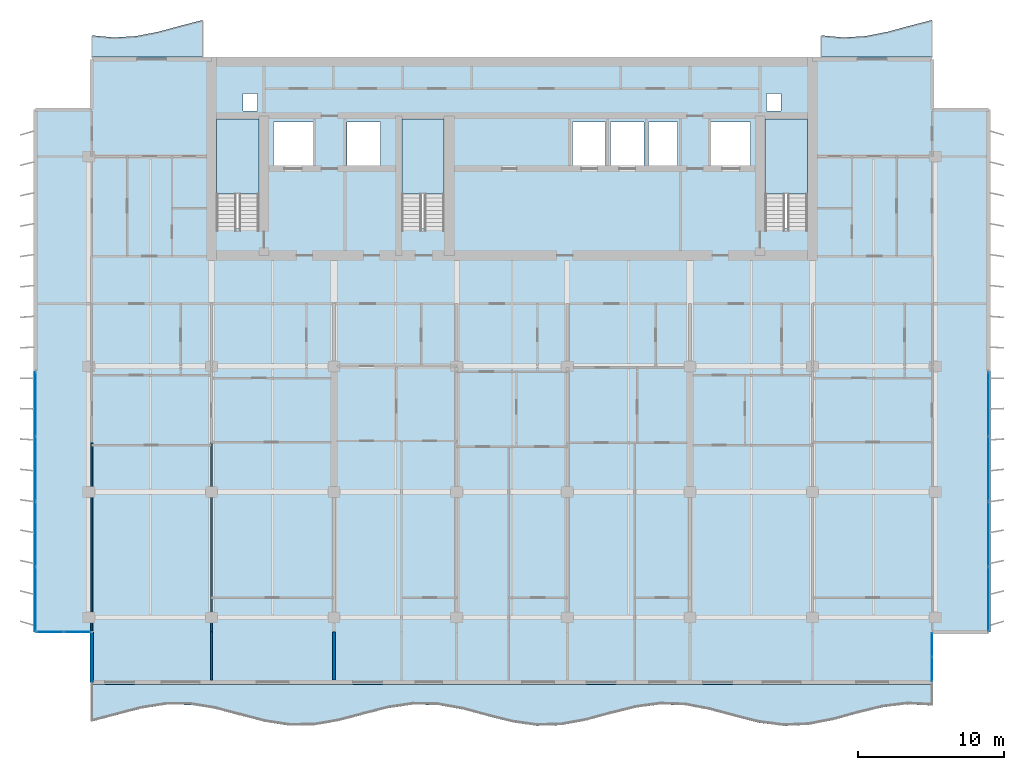
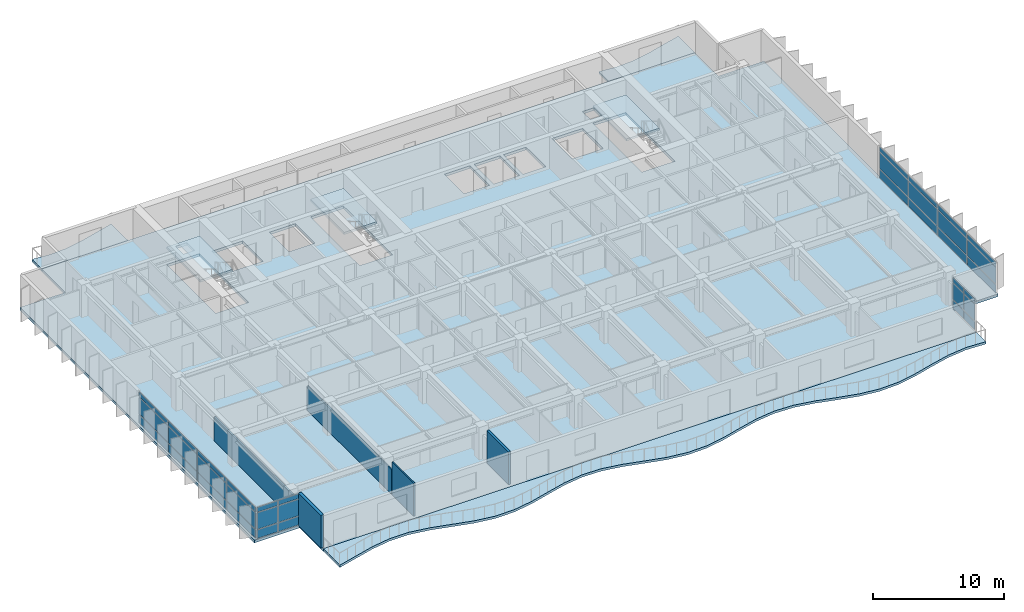
# One storey, part 6 of 18: 36 plates, 7 slabs, 5 walls, 7 elements without a shape of their own.
"""IFC4 building model written with IfcOpenShell, lengths in metres."""

import ifcopenshell
import ifcopenshell.guid

model = None  # the IFC model being written
_history = None  # IfcOwnerHistory: only IFC2X3 demands one
_inside = {}  # id of a spatial element -> (the spatial element, [elements in it])
_under = {}  # id of a project, library or spatial element -> (it, [spatial elements below it])
_declared = {}  # id of a project -> (the project, [libraries it declares])
_typed = {}  # id of a type object -> (the type object, [elements of that type])
_made_of = {}  # id of a material, layer set ... -> (it, [elements and type objects made of it])


def new_model(schema):
    """Start an empty IFC model of exactly this schema.

    Asked for "IFC4X3", IfcOpenShell would pick the latest addendum, in which some entities
    have other attributes; the version numbers below select the first issue.
    IFC2X3 requires an IfcOwnerHistory on every rooted entity: one is made here for all.
    """
    global model, _history
    if schema == "IFC4X3":
        model = ifcopenshell.file(schema_version=(4, 3, 0, 0))
    else:
        model = ifcopenshell.file(schema=schema)
    _inside.clear()
    _under.clear()
    _declared.clear()
    _typed.clear()
    _made_of.clear()
    _history = None
    if model.schema == "IFC2X3":
        org = make("IfcOrganization", Name="unknown")
        user = make(
            "IfcPersonAndOrganization",
            ThePerson=make("IfcPerson", FamilyName="unknown"),
            TheOrganization=org,
        )
        app = make(
            "IfcApplication",
            ApplicationDeveloper=org,
            Version="unknown",
            ApplicationFullName="unknown",
            ApplicationIdentifier="unknown",
        )
        _history = make(
            "IfcOwnerHistory",
            OwningUser=user,
            OwningApplication=app,
            ChangeAction="ADDED",
            CreationDate=0,
        )
    return model


def make(cls, **values):
    """One entity of the class cls with the attributes given. An attribute that is None is left unset."""
    return model.create_entity(
        cls, **{name: value for name, value in values.items() if value is not None}
    )


def rooted(cls, **values):
    """An entity with a GlobalId (a new one), such as an element, a storey or a relation."""
    return make(cls, GlobalId=ifcopenshell.guid.new(), OwnerHistory=_history, **values)


def si_unit(unit_type, name, prefix=None):
    """IfcSIUnit, for example si_unit("LENGTHUNIT", "METRE", prefix="MILLI")."""
    return make("IfcSIUnit", UnitType=unit_type, Prefix=prefix, Name=name)


def assignment(units):
    """IfcUnitAssignment: the units of a project."""
    return None if units is None else make("IfcUnitAssignment", Units=units)


def point(xyz):
    """IfcCartesianPoint."""
    return None if xyz is None else make("IfcCartesianPoint", Coordinates=xyz)


def direction(xyz):
    """IfcDirection."""
    return None if xyz is None else make("IfcDirection", DirectionRatios=xyz)


def frame(location, z_axis=None, x_axis=None):
    """IfcAxis2Placement3D, a coordinate frame: its origin and axes. An axis left out is left unset."""
    return make(
        "IfcAxis2Placement3D",
        Location=point(location),
        Axis=direction(z_axis),
        RefDirection=direction(x_axis),
    )


def frame_2d(location, x_axis=None):
    """IfcAxis2Placement2D, a coordinate frame in the plane: its origin and x axis."""
    return make(
        "IfcAxis2Placement2D", Location=point(location), RefDirection=direction(x_axis)
    )


def origin():
    """The frame at (0, 0, 0) with its axes left unset."""
    return frame((0.0, 0.0, 0.0))


def origin_2d():
    """The frame at (0, 0) in the plane with its x axis left unset."""
    return frame_2d((0.0, 0.0))


def place(relative_to, where):
    """IfcLocalPlacement: puts the frame where relative to a parent placement (None: the world)."""
    return make(
        "IfcLocalPlacement", PlacementRelTo=relative_to, RelativePlacement=where
    )


def context(
    kind, dimensions, precision=None, world=None, true_north=None, identifier=None
):
    """IfcGeometricRepresentationContext, for example the 3D "Model" context."""
    return make(
        "IfcGeometricRepresentationContext",
        ContextIdentifier=identifier,
        ContextType=kind,
        CoordinateSpaceDimension=dimensions,
        Precision=precision,
        WorldCoordinateSystem=world,
        TrueNorth=true_north,
    )


def subcontext(parent, identifier, kind, view, scale=None):
    """IfcGeometricRepresentationSubContext, for example "Body" below "Model"."""
    return make(
        "IfcGeometricRepresentationSubContext",
        ContextIdentifier=identifier,
        ContextType=kind,
        ParentContext=parent,
        TargetScale=scale,
        TargetView=view,
    )


def project(units=None, contexts=None):
    """IfcProject with its units and contexts."""
    return rooted(
        "IfcProject",
        Name="project",
        RepresentationContexts=contexts,
        UnitsInContext=assignment(units),
    )


def spatial(cls, under=None, at=None, **own):
    """A site, building, storey or space (cls), placed at a placement, below another one or the project."""
    s = rooted(cls, ObjectPlacement=at, **own)
    if under is not None:
        _under.setdefault(under.id(), (under, []))[1].append(s)
    return s


def polyline(points):
    """IfcPolyline through the points."""
    return make("IfcPolyline", Points=[point(p) for p in points])


def profile(cls, at=None, kind="AREA", **sizes):
    """A parametric profile (cls). Its sizes go by their IFC names, for example OverallWidth=200.0."""
    return make(cls, ProfileType=kind, Position=at, **sizes)


def rectangle(**sizes):
    """IfcRectangleProfileDef."""
    return profile("IfcRectangleProfileDef", **sizes)


def outline(outer, holes=None, kind="AREA"):
    """IfcArbitraryClosedProfileDef: a profile drawn as a closed curve; with holes, ...WithVoids."""
    if holes is None:
        return make("IfcArbitraryClosedProfileDef", ProfileType=kind, OuterCurve=outer)
    return make(
        "IfcArbitraryProfileDefWithVoids",
        ProfileType=kind,
        OuterCurve=outer,
        InnerCurves=holes,
    )


def extrude(swept, where, along, depth):
    """IfcExtrudedAreaSolid: the profile swept, set in the frame where, extruded along a direction by depth."""
    return make(
        "IfcExtrudedAreaSolid",
        SweptArea=swept,
        Position=where,
        ExtrudedDirection=direction(along),
        Depth=depth,
    )


def shape(context_of_items, identifier, shape_type, items):
    """IfcShapeRepresentation: the items that make up one representation, for example the "Body"."""
    return make(
        "IfcShapeRepresentation",
        ContextOfItems=context_of_items,
        RepresentationIdentifier=identifier,
        RepresentationType=shape_type,
        Items=items,
    )


def material(Name=None, Category=None):
    """IfcMaterial."""
    return make("IfcMaterial", Name=Name, Category=Category)


def layer(
    of_material, thickness, ventilated=None, Name=None, Category=None, Priority=None
):
    """IfcMaterialLayer: one layer of a wall or slab, of a material (None: an air gap)."""
    return make(
        "IfcMaterialLayer",
        Material=of_material,
        LayerThickness=thickness,
        IsVentilated=ventilated,
        Name=Name,
        Category=Category,
        Priority=Priority,
    )


def layer_set(layers, Name=None):
    """IfcMaterialLayerSet."""
    return make("IfcMaterialLayerSet", MaterialLayers=layers, LayerSetName=Name)


def made_of(thing, what):
    """Note that an element or type object is made of a material, layer set ...; save() writes the relation."""
    if what is not None:
        _made_of.setdefault(what.id(), (what, []))[1].append(thing)
    return thing


def type_object(cls, material=None, **own):
    """A type object (cls), such as IfcWallType, which elements share."""
    return made_of(rooted(cls, **own), material)


def element(
    cls,
    number,
    at=None,
    inside=None,
    cuts=None,
    type_object=None,
    material=None,
    context=None,
    identifier="Body",
    shape_type=None,
    held_by="IfcProductDefinitionShape",
    body=None,
    shapes=None,
    **own,
):
    """One element of the class cls, such as IfcWall. Its Tag is "e" and its number.

    at: its placement. inside: the storey or other place that contains it. cuts: it is an
    opening in that element (IfcRelVoidsElement). A single representation is given by context,
    identifier, shape_type and body (its items); several are given by shapes. held_by: the class
    of the entity that holds the representations. save() writes the other relations.
    """
    e = rooted(cls, Tag="e%d" % number, ObjectPlacement=at, **own)
    if body is not None:
        shapes = [shape(context, identifier, shape_type, body)]
    if shapes is not None:
        e.Representation = make(held_by, Representations=shapes)
    if inside is not None:
        _inside.setdefault(inside.id(), (inside, []))[1].append(e)
    if cuts is not None:
        rooted(
            "IfcRelVoidsElement", RelatingBuildingElement=cuts, RelatedOpeningElement=e
        )
    if type_object is not None:
        _typed.setdefault(type_object.id(), (type_object, []))[1].append(e)
    return made_of(e, material)


def aggregate(whole, parts):
    """IfcRelAggregates: a whole, such as a stair, and the parts it consists of."""
    return rooted("IfcRelAggregates", RelatingObject=whole, RelatedObjects=parts)


def save(model, path):
    """Write the relations noted so far, then the file.

    IfcRelAggregates (storeys below a building ...), IfcRelContainedInSpatialStructure (elements
    in a storey), IfcRelDefinesByType, IfcRelAssociatesMaterial and IfcRelDeclares: one each for
    every whole, place, type object, material and project.
    """
    for whole, parts in _under.values():
        aggregate(whole, parts)
    for where, things in _inside.values():
        rooted(
            "IfcRelContainedInSpatialStructure",
            RelatedElements=things,
            RelatingStructure=where,
        )
    for kind, things in _typed.values():
        rooted("IfcRelDefinesByType", RelatedObjects=things, RelatingType=kind)
    for what, things in _made_of.values():
        rooted("IfcRelAssociatesMaterial", RelatedObjects=things, RelatingMaterial=what)
    for by, libraries in _declared.values():
        rooted("IfcRelDeclares", RelatingContext=by, RelatedDefinitions=libraries)
    model.write(path)


model = new_model("IFC4")

# Units and contexts
model_context = context("Model", 3, precision=1e-05, world=origin(), true_north=direction((0.0, 1.0)))
body_context = subcontext(model_context, "Body", "Model", "MODEL_VIEW")
ifc_project = project(units=[si_unit("LENGTHUNIT", "METRE"), si_unit("AREAUNIT", "SQUARE_METRE"), si_unit("VOLUMEUNIT", "CUBIC_METRE"), si_unit("PLANEANGLEUNIT", "RADIAN"), si_unit("MASSUNIT", "GRAM", prefix="KILO")], contexts=[model_context])

# Site, building, storey
site_placement = place(None, origin())
site = spatial("IfcSite", under=ifc_project, at=site_placement, CompositionType="ELEMENT")
building_placement = place(site_placement, origin())
building = spatial("IfcBuilding", under=site, at=building_placement, Name="Caelmar Bay Residences", CompositionType="ELEMENT")
storey_placement = place(building_placement, frame((0.0, 0.0, 170.39990234375)))
storey = spatial("IfcBuildingStorey", under=building, at=storey_placement, Name="L47", CompositionType="ELEMENT", Elevation=170.39990234375)

# Curtain wall, plates
ifc_material_1 = material(Name="Anodised bronze aluminium 6063-T6 and laminated glass", Category="aluminium")
ifc_layer_1 = layer(ifc_material_1, 0.179931640625)
ifc_layer_set_1 = layer_set([ifc_layer_1], Name="Anodised bronze aluminium 6063-T6 and laminated glass")
curtain_wall_type_1 = type_object("IfcCurtainWallType", Name="CW6-NTC", PredefinedType="NOTDEFINED", material=ifc_layer_set_1)
curtain_wall_1_placement = place(storey_placement, origin())
curtain_wall_1 = element("IfcCurtainWall", 1, at=curtain_wall_1_placement, inside=storey, type_object=curtain_wall_type_1, Name="CW6 curtain wall L47", PredefinedType="NOTDEFINED")
ifc_material_2 = material(Name="Bronze-tinted laminated low-E hurricane glass 28 mm", Category="glass")
ifc_layer_2 = layer(ifc_material_2, 0.028076171875)
ifc_layer_set_2 = layer_set([ifc_layer_2], Name="Bronze-tinted laminated low-E hurricane glass 28 mm")
plate_type = type_object("IfcPlateType", Name="CWP-GLZ28", PredefinedType="CURTAIN_PANEL", material=ifc_layer_set_2)
plate_1_placement = place(storey_placement, frame((7.232421875, 11.199951171875, 0.080078125), z_axis=(0.0, 0.0, 1.0), x_axis=(1.0, 0.0, 0.0)))
plate_1 = element("IfcPlate", 2, at=plate_1_placement, type_object=plate_type, Name="CW6 panel 1.1", PredefinedType="CURTAIN_PANEL", context=body_context, shape_type="SweptSolid", body=[
    extrude(rectangle(XDim=1.804931640625, YDim=0.028076171875, at=origin_2d()), origin(), (0.0, 0.0, 1.0), 0.780029296875),
])
plate_2_placement = place(storey_placement, frame((7.232421875, 11.199951171875, 0.940185546875), z_axis=(0.0, 0.0, 1.0), x_axis=(1.0, 0.0, 0.0)))
plate_2 = element("IfcPlate", 3, at=plate_2_placement, type_object=plate_type, Name="CW6 panel 1.2", PredefinedType="CURTAIN_PANEL", context=body_context, shape_type="SweptSolid", body=[
    extrude(rectangle(XDim=1.804931640625, YDim=0.028076171875, at=origin_2d()), origin(), (0.0, 0.0, 1.0), 1.52001953125),
])
plate_3_placement = place(storey_placement, frame((7.232421875, 11.199951171875, 2.5400390625), z_axis=(0.0, 0.0, 1.0), x_axis=(1.0, 0.0, 0.0)))
plate_3 = element("IfcPlate", 4, at=plate_3_placement, type_object=plate_type, Name="CW6 panel 1.3", PredefinedType="CURTAIN_PANEL", context=body_context, shape_type="SweptSolid", body=[
    extrude(rectangle(XDim=1.804931640625, YDim=0.028076171875, at=origin_2d()), origin(), (0.0, 0.0, 1.0), 0.429931640625),
])
plate_4_placement = place(storey_placement, frame((9.117431640625, 11.199951171875, 0.080078125), z_axis=(0.0, 0.0, 1.0), x_axis=(1.0, 0.0, 0.0)))
plate_4 = element("IfcPlate", 5, at=plate_4_placement, type_object=plate_type, Name="CW6 panel 2.1", PredefinedType="CURTAIN_PANEL", context=body_context, shape_type="SweptSolid", body=[
    extrude(rectangle(XDim=1.804931640625, YDim=0.028076171875, at=origin_2d()), origin(), (0.0, 0.0, 1.0), 0.780029296875),
])
plate_5_placement = place(storey_placement, frame((9.117431640625, 11.199951171875, 0.940185546875), z_axis=(0.0, 0.0, 1.0), x_axis=(1.0, 0.0, 0.0)))
plate_5 = element("IfcPlate", 6, at=plate_5_placement, type_object=plate_type, Name="CW6 panel 2.2", PredefinedType="CURTAIN_PANEL", context=body_context, shape_type="SweptSolid", body=[
    extrude(rectangle(XDim=1.804931640625, YDim=0.028076171875, at=origin_2d()), origin(), (0.0, 0.0, 1.0), 1.52001953125),
])
plate_6_placement = place(storey_placement, frame((9.117431640625, 11.199951171875, 2.5400390625), z_axis=(0.0, 0.0, 1.0), x_axis=(1.0, 0.0, 0.0)))
plate_6 = element("IfcPlate", 7, at=plate_6_placement, type_object=plate_type, Name="CW6 panel 2.3", PredefinedType="CURTAIN_PANEL", context=body_context, shape_type="SweptSolid", body=[
    extrude(rectangle(XDim=1.804931640625, YDim=0.028076171875, at=origin_2d()), origin(), (0.0, 0.0, 1.0), 0.429931640625),
])
aggregate(curtain_wall_1, [plate_1, plate_2, plate_3, plate_4, plate_5, plate_6])

curtain_wall_2_placement = place(storey_placement, origin())
curtain_wall_2 = element("IfcCurtainWall", 8, at=curtain_wall_2_placement, inside=storey, type_object=curtain_wall_type_1, Name="CW6 curtain wall L47", PredefinedType="NOTDEFINED")
plate_7_placement = place(storey_placement, frame((67.699951171875, 8.632568359375, 0.080078125), z_axis=(0.0, 0.0, 1.0), x_axis=(0.0, 1.0, 0.0)))
plate_7 = element("IfcPlate", 9, at=plate_7_placement, type_object=plate_type, Name="CW6 panel 1.1", PredefinedType="CURTAIN_PANEL", context=body_context, shape_type="SweptSolid", body=[
    extrude(rectangle(XDim=1.60498046875, YDim=0.028076171875, at=origin_2d()), origin(), (0.0, 0.0, 1.0), 0.780029296875),
])
plate_8_placement = place(storey_placement, frame((67.699951171875, 8.632568359375, 0.940185546875), z_axis=(0.0, 0.0, 1.0), x_axis=(0.0, 1.0, 0.0)))
plate_8 = element("IfcPlate", 10, at=plate_8_placement, type_object=plate_type, Name="CW6 panel 1.2", PredefinedType="CURTAIN_PANEL", context=body_context, shape_type="SweptSolid", body=[
    extrude(rectangle(XDim=1.60498046875, YDim=0.028076171875, at=origin_2d()), origin(), (0.0, 0.0, 1.0), 1.52001953125),
])
plate_9_placement = place(storey_placement, frame((67.699951171875, 8.632568359375, 2.5400390625), z_axis=(0.0, 0.0, 1.0), x_axis=(0.0, 1.0, 0.0)))
plate_9 = element("IfcPlate", 11, at=plate_9_placement, type_object=plate_type, Name="CW6 panel 1.3", PredefinedType="CURTAIN_PANEL", context=body_context, shape_type="SweptSolid", body=[
    extrude(rectangle(XDim=1.60498046875, YDim=0.028076171875, at=origin_2d()), origin(), (0.0, 0.0, 1.0), 0.429931640625),
])
plate_10_placement = place(storey_placement, frame((67.699951171875, 10.3173828125, 0.080078125), z_axis=(0.0, 0.0, 1.0), x_axis=(0.0, 1.0, 0.0)))
plate_10 = element("IfcPlate", 12, at=plate_10_placement, type_object=plate_type, Name="CW6 panel 2.1", PredefinedType="CURTAIN_PANEL", context=body_context, shape_type="SweptSolid", body=[
    extrude(rectangle(XDim=1.60498046875, YDim=0.028076171875, at=origin_2d()), origin(), (0.0, 0.0, 1.0), 0.780029296875),
])
plate_11_placement = place(storey_placement, frame((67.699951171875, 10.3173828125, 0.940185546875), z_axis=(0.0, 0.0, 1.0), x_axis=(0.0, 1.0, 0.0)))
plate_11 = element("IfcPlate", 13, at=plate_11_placement, type_object=plate_type, Name="CW6 panel 2.2", PredefinedType="CURTAIN_PANEL", context=body_context, shape_type="SweptSolid", body=[
    extrude(rectangle(XDim=1.60498046875, YDim=0.028076171875, at=origin_2d()), origin(), (0.0, 0.0, 1.0), 1.52001953125),
])
plate_12_placement = place(storey_placement, frame((67.699951171875, 10.3173828125, 2.5400390625), z_axis=(0.0, 0.0, 1.0), x_axis=(0.0, 1.0, 0.0)))
plate_12 = element("IfcPlate", 14, at=plate_12_placement, type_object=plate_type, Name="CW6 panel 2.3", PredefinedType="CURTAIN_PANEL", context=body_context, shape_type="SweptSolid", body=[
    extrude(rectangle(XDim=1.60498046875, YDim=0.028076171875, at=origin_2d()), origin(), (0.0, 0.0, 1.0), 0.429931640625),
])
aggregate(curtain_wall_2, [plate_7, plate_8, plate_9, plate_10, plate_11, plate_12])

ifc_layer_3 = layer(ifc_material_1, 0.179931640625)
ifc_layer_set_3 = layer_set([ifc_layer_3], Name="Anodised bronze aluminium 6063-T6 and laminated glass")
curtain_wall_type_2 = type_object("IfcCurtainWallType", Name="CW4-Z3", PredefinedType="NOTDEFINED", material=ifc_layer_set_3)
curtain_wall_3_placement = place(storey_placement, origin())
curtain_wall_3 = element("IfcCurtainWall", 15, at=curtain_wall_3_placement, inside=storey, type_object=curtain_wall_type_2, Name="CW4 curtain wall L47", PredefinedType="NOTDEFINED")
plate_13_placement = place(storey_placement, frame((6.25, 13.45751953125, 0.080078125), z_axis=(0.0, 0.0, 1.0), x_axis=(0.0, 1.0, 0.0)))
plate_13 = element("IfcPlate", 16, at=plate_13_placement, type_object=plate_type, Name="CW4 panel 1.1", PredefinedType="CURTAIN_PANEL", context=body_context, shape_type="SweptSolid", body=[
    extrude(rectangle(XDim=4.35498046875, YDim=0.028076171875, at=origin_2d()), origin(), (0.0, 0.0, 1.0), 0.780029296875),
])
plate_14_placement = place(storey_placement, frame((6.25, 13.45751953125, 0.940185546875), z_axis=(0.0, 0.0, 1.0), x_axis=(0.0, 1.0, 0.0)))
plate_14 = element("IfcPlate", 17, at=plate_14_placement, type_object=plate_type, Name="CW4 panel 1.2", PredefinedType="CURTAIN_PANEL", context=body_context, shape_type="SweptSolid", body=[
    extrude(rectangle(XDim=4.35498046875, YDim=0.028076171875, at=origin_2d()), origin(), (0.0, 0.0, 1.0), 1.52001953125),
])
plate_15_placement = place(storey_placement, frame((6.25, 13.45751953125, 2.5400390625), z_axis=(0.0, 0.0, 1.0), x_axis=(0.0, 1.0, 0.0)))
plate_15 = element("IfcPlate", 18, at=plate_15_placement, type_object=plate_type, Name="CW4 panel 1.3", PredefinedType="CURTAIN_PANEL", context=body_context, shape_type="SweptSolid", body=[
    extrude(rectangle(XDim=4.35498046875, YDim=0.028076171875, at=origin_2d()), origin(), (0.0, 0.0, 1.0), 0.429931640625),
])
plate_16_placement = place(storey_placement, frame((6.25, 17.91259765625, 0.080078125), z_axis=(0.0, 0.0, 1.0), x_axis=(0.0, 1.0, 0.0)))
plate_16 = element("IfcPlate", 19, at=plate_16_placement, type_object=plate_type, Name="CW4 panel 2.1", PredefinedType="CURTAIN_PANEL", context=body_context, shape_type="SweptSolid", body=[
    extrude(rectangle(XDim=4.39501953125, YDim=0.028076171875, at=origin_2d()), origin(), (0.0, 0.0, 1.0), 0.780029296875),
])
plate_17_placement = place(storey_placement, frame((6.25, 17.91259765625, 0.940185546875), z_axis=(0.0, 0.0, 1.0), x_axis=(0.0, 1.0, 0.0)))
plate_17 = element("IfcPlate", 20, at=plate_17_placement, type_object=plate_type, Name="CW4 panel 2.2", PredefinedType="CURTAIN_PANEL", context=body_context, shape_type="SweptSolid", body=[
    extrude(rectangle(XDim=4.39501953125, YDim=0.028076171875, at=origin_2d()), origin(), (0.0, 0.0, 1.0), 1.52001953125),
])
plate_18_placement = place(storey_placement, frame((6.25, 17.91259765625, 2.5400390625), z_axis=(0.0, 0.0, 1.0), x_axis=(0.0, 1.0, 0.0)))
plate_18 = element("IfcPlate", 21, at=plate_18_placement, type_object=plate_type, Name="CW4 panel 2.3", PredefinedType="CURTAIN_PANEL", context=body_context, shape_type="SweptSolid", body=[
    extrude(rectangle(XDim=4.39501953125, YDim=0.028076171875, at=origin_2d()), origin(), (0.0, 0.0, 1.0), 0.429931640625),
])
plate_19_placement = place(storey_placement, frame((6.25, 22.387451171875, 0.080078125), z_axis=(0.0, 0.0, 1.0), x_axis=(0.0, 1.0, 0.0)))
plate_19 = element("IfcPlate", 22, at=plate_19_placement, type_object=plate_type, Name="CW4 panel 3.1", PredefinedType="CURTAIN_PANEL", context=body_context, shape_type="SweptSolid", body=[
    extrude(rectangle(XDim=4.39501953125, YDim=0.028076171875, at=origin_2d()), origin(), (0.0, 0.0, 1.0), 0.780029296875),
])
plate_20_placement = place(storey_placement, frame((6.25, 22.387451171875, 0.940185546875), z_axis=(0.0, 0.0, 1.0), x_axis=(0.0, 1.0, 0.0)))
plate_20 = element("IfcPlate", 23, at=plate_20_placement, type_object=plate_type, Name="CW4 panel 3.2", PredefinedType="CURTAIN_PANEL", context=body_context, shape_type="SweptSolid", body=[
    extrude(rectangle(XDim=4.39501953125, YDim=0.028076171875, at=origin_2d()), origin(), (0.0, 0.0, 1.0), 1.52001953125),
])
plate_21_placement = place(storey_placement, frame((6.25, 22.387451171875, 2.5400390625), z_axis=(0.0, 0.0, 1.0), x_axis=(0.0, 1.0, 0.0)))
plate_21 = element("IfcPlate", 24, at=plate_21_placement, type_object=plate_type, Name="CW4 panel 3.3", PredefinedType="CURTAIN_PANEL", context=body_context, shape_type="SweptSolid", body=[
    extrude(rectangle(XDim=4.39501953125, YDim=0.028076171875, at=origin_2d()), origin(), (0.0, 0.0, 1.0), 0.429931640625),
])
plate_22_placement = place(storey_placement, frame((6.25, 26.842529296875, 0.080078125), z_axis=(0.0, 0.0, 1.0), x_axis=(0.0, 1.0, 0.0)))
plate_22 = element("IfcPlate", 25, at=plate_22_placement, type_object=plate_type, Name="CW4 panel 4.1", PredefinedType="CURTAIN_PANEL", context=body_context, shape_type="SweptSolid", body=[
    extrude(rectangle(XDim=4.35498046875, YDim=0.028076171875, at=origin_2d()), origin(), (0.0, 0.0, 1.0), 0.780029296875),
])
plate_23_placement = place(storey_placement, frame((6.25, 26.842529296875, 0.940185546875), z_axis=(0.0, 0.0, 1.0), x_axis=(0.0, 1.0, 0.0)))
plate_23 = element("IfcPlate", 26, at=plate_23_placement, type_object=plate_type, Name="CW4 panel 4.2", PredefinedType="CURTAIN_PANEL", context=body_context, shape_type="SweptSolid", body=[
    extrude(rectangle(XDim=4.35498046875, YDim=0.028076171875, at=origin_2d()), origin(), (0.0, 0.0, 1.0), 1.52001953125),
])
plate_24_placement = place(storey_placement, frame((6.25, 26.842529296875, 2.5400390625), z_axis=(0.0, 0.0, 1.0), x_axis=(0.0, 1.0, 0.0)))
plate_24 = element("IfcPlate", 27, at=plate_24_placement, type_object=plate_type, Name="CW4 panel 4.3", PredefinedType="CURTAIN_PANEL", context=body_context, shape_type="SweptSolid", body=[
    extrude(rectangle(XDim=4.35498046875, YDim=0.028076171875, at=origin_2d()), origin(), (0.0, 0.0, 1.0), 0.429931640625),
])
aggregate(curtain_wall_3, [plate_13, plate_14, plate_15, plate_16, plate_17, plate_18, plate_19, plate_20, plate_21, plate_22, plate_23, plate_24])

curtain_wall_4_placement = place(storey_placement, origin())
curtain_wall_4 = element("IfcCurtainWall", 28, at=curtain_wall_4_placement, inside=storey, type_object=curtain_wall_type_2, Name="CW4 curtain wall L47", PredefinedType="NOTDEFINED")
plate_25_placement = place(storey_placement, frame((71.550048828125, 26.842529296875, 0.080078125), z_axis=(0.0, 0.0, 1.0), x_axis=(0.0, -1.0, 0.0)))
plate_25 = element("IfcPlate", 29, at=plate_25_placement, type_object=plate_type, Name="CW4 panel 1.1", PredefinedType="CURTAIN_PANEL", context=body_context, shape_type="SweptSolid", body=[
    extrude(rectangle(XDim=4.35498046875, YDim=0.028076171875, at=origin_2d()), origin(), (0.0, 0.0, 1.0), 0.780029296875),
])
plate_26_placement = place(storey_placement, frame((71.550048828125, 26.842529296875, 0.940185546875), z_axis=(0.0, 0.0, 1.0), x_axis=(0.0, -1.0, 0.0)))
plate_26 = element("IfcPlate", 30, at=plate_26_placement, type_object=plate_type, Name="CW4 panel 1.2", PredefinedType="CURTAIN_PANEL", context=body_context, shape_type="SweptSolid", body=[
    extrude(rectangle(XDim=4.35498046875, YDim=0.028076171875, at=origin_2d()), origin(), (0.0, 0.0, 1.0), 1.52001953125),
])
plate_27_placement = place(storey_placement, frame((71.550048828125, 26.842529296875, 2.5400390625), z_axis=(0.0, 0.0, 1.0), x_axis=(0.0, -1.0, 0.0)))
plate_27 = element("IfcPlate", 31, at=plate_27_placement, type_object=plate_type, Name="CW4 panel 1.3", PredefinedType="CURTAIN_PANEL", context=body_context, shape_type="SweptSolid", body=[
    extrude(rectangle(XDim=4.35498046875, YDim=0.028076171875, at=origin_2d()), origin(), (0.0, 0.0, 1.0), 0.429931640625),
])
plate_28_placement = place(storey_placement, frame((71.550048828125, 22.387451171875, 0.080078125), z_axis=(0.0, 0.0, 1.0), x_axis=(0.0, -1.0, 0.0)))
plate_28 = element("IfcPlate", 32, at=plate_28_placement, type_object=plate_type, Name="CW4 panel 2.1", PredefinedType="CURTAIN_PANEL", context=body_context, shape_type="SweptSolid", body=[
    extrude(rectangle(XDim=4.39501953125, YDim=0.028076171875, at=origin_2d()), origin(), (0.0, 0.0, 1.0), 0.780029296875),
])
plate_29_placement = place(storey_placement, frame((71.550048828125, 22.387451171875, 0.940185546875), z_axis=(0.0, 0.0, 1.0), x_axis=(0.0, -1.0, 0.0)))
plate_29 = element("IfcPlate", 33, at=plate_29_placement, type_object=plate_type, Name="CW4 panel 2.2", PredefinedType="CURTAIN_PANEL", context=body_context, shape_type="SweptSolid", body=[
    extrude(rectangle(XDim=4.39501953125, YDim=0.028076171875, at=origin_2d()), origin(), (0.0, 0.0, 1.0), 1.52001953125),
])
plate_30_placement = place(storey_placement, frame((71.550048828125, 22.387451171875, 2.5400390625), z_axis=(0.0, 0.0, 1.0), x_axis=(0.0, -1.0, 0.0)))
plate_30 = element("IfcPlate", 34, at=plate_30_placement, type_object=plate_type, Name="CW4 panel 2.3", PredefinedType="CURTAIN_PANEL", context=body_context, shape_type="SweptSolid", body=[
    extrude(rectangle(XDim=4.39501953125, YDim=0.028076171875, at=origin_2d()), origin(), (0.0, 0.0, 1.0), 0.429931640625),
])
plate_31_placement = place(storey_placement, frame((71.550048828125, 17.91259765625, 0.080078125), z_axis=(0.0, 0.0, 1.0), x_axis=(0.0, -1.0, 0.0)))
plate_31 = element("IfcPlate", 35, at=plate_31_placement, type_object=plate_type, Name="CW4 panel 3.1", PredefinedType="CURTAIN_PANEL", context=body_context, shape_type="SweptSolid", body=[
    extrude(rectangle(XDim=4.39501953125, YDim=0.028076171875, at=origin_2d()), origin(), (0.0, 0.0, 1.0), 0.780029296875),
])
plate_32_placement = place(storey_placement, frame((71.550048828125, 17.91259765625, 0.940185546875), z_axis=(0.0, 0.0, 1.0), x_axis=(0.0, -1.0, 0.0)))
plate_32 = element("IfcPlate", 36, at=plate_32_placement, type_object=plate_type, Name="CW4 panel 3.2", PredefinedType="CURTAIN_PANEL", context=body_context, shape_type="SweptSolid", body=[
    extrude(rectangle(XDim=4.39501953125, YDim=0.028076171875, at=origin_2d()), origin(), (0.0, 0.0, 1.0), 1.52001953125),
])
plate_33_placement = place(storey_placement, frame((71.550048828125, 17.91259765625, 2.5400390625), z_axis=(0.0, 0.0, 1.0), x_axis=(0.0, -1.0, 0.0)))
plate_33 = element("IfcPlate", 37, at=plate_33_placement, type_object=plate_type, Name="CW4 panel 3.3", PredefinedType="CURTAIN_PANEL", context=body_context, shape_type="SweptSolid", body=[
    extrude(rectangle(XDim=4.39501953125, YDim=0.028076171875, at=origin_2d()), origin(), (0.0, 0.0, 1.0), 0.429931640625),
])
plate_34_placement = place(storey_placement, frame((71.550048828125, 13.45751953125, 0.080078125), z_axis=(0.0, 0.0, 1.0), x_axis=(0.0, -1.0, 0.0)))
plate_34 = element("IfcPlate", 38, at=plate_34_placement, type_object=plate_type, Name="CW4 panel 4.1", PredefinedType="CURTAIN_PANEL", context=body_context, shape_type="SweptSolid", body=[
    extrude(rectangle(XDim=4.35498046875, YDim=0.028076171875, at=origin_2d()), origin(), (0.0, 0.0, 1.0), 0.780029296875),
])
plate_35_placement = place(storey_placement, frame((71.550048828125, 13.45751953125, 0.940185546875), z_axis=(0.0, 0.0, 1.0), x_axis=(0.0, -1.0, 0.0)))
plate_35 = element("IfcPlate", 39, at=plate_35_placement, type_object=plate_type, Name="CW4 panel 4.2", PredefinedType="CURTAIN_PANEL", context=body_context, shape_type="SweptSolid", body=[
    extrude(rectangle(XDim=4.35498046875, YDim=0.028076171875, at=origin_2d()), origin(), (0.0, 0.0, 1.0), 1.52001953125),
])
plate_36_placement = place(storey_placement, frame((71.550048828125, 13.45751953125, 2.5400390625), z_axis=(0.0, 0.0, 1.0), x_axis=(0.0, -1.0, 0.0)))
plate_36 = element("IfcPlate", 40, at=plate_36_placement, type_object=plate_type, Name="CW4 panel 4.3", PredefinedType="CURTAIN_PANEL", context=body_context, shape_type="SweptSolid", body=[
    extrude(rectangle(XDim=4.35498046875, YDim=0.028076171875, at=origin_2d()), origin(), (0.0, 0.0, 1.0), 0.429931640625),
])
aggregate(curtain_wall_4, [plate_25, plate_26, plate_27, plate_28, plate_29, plate_30, plate_31, plate_32, plate_33, plate_34, plate_35, plate_36])

# Slabs
ifc_material_3 = material(Name="Concrete f'c 40 MPa (6,000 psi)", Category="concrete")
ifc_layer_4 = layer(ifc_material_3, 0.219970703125)
ifc_layer_set_4 = layer_set([ifc_layer_4], Name="Concrete f'c 40 MPa (6,000 psi)")
slab_type_1 = type_object("IfcSlabType", Name="SLB-BAL-220", PredefinedType="FLOOR", material=ifc_layer_set_4)
slab_1_placement = place(storey_placement, frame((0.0, 0.0, -0.219970703125)))
element("IfcSlab", 41, at=slab_1_placement, inside=storey, type_object=slab_type_1, Name="L47 Sinusoidal Tree-Balcony Slab south", PredefinedType="FLOOR", context=body_context, shape_type="SweptSolid", body=[
    extrude(outline(polyline([(10.10009765625, 5.05908203125), (11.794189453125, 5.50390625), (13.48828125, 5.947265625), (15.182373046875, 6.216796875), (16.87646484375, 6.208251953125), (18.570556640625, 5.9248046875), (20.2646484375, 5.476318359375), (21.958740234375, 5.037109375), (23.65283203125, 4.777587890625), (25.34716796875, 4.798583984375), (27.041259765625, 5.091796875), (28.7353515625, 5.54345703125), (30.429443359375, 5.978515625), (32.12353515625, 6.2275390625), (33.817626953125, 6.194091796875), (35.51171875, 5.891357421875), (37.205810546875, 5.436767578125), (38.89990234375, 5.006591796875), (40.593994140625, 4.767822265625), (42.2880859375, 4.8134765625), (43.982421875, 5.12548828125), (45.676513671875, 5.5830078125), (47.37060546875, 6.00830078125), (49.064697265625, 6.236083984375), (50.7587890625, 6.17822265625), (52.452880859375, 5.857177734375), (54.147216796875, 5.3974609375), (55.84130859375, 4.977294921875), (57.535400390625, 4.76025390625), (59.2294921875, 4.830322265625), (60.923583984375, 5.160400390625), (62.61767578125, 5.622314453125), (64.311767578125, 6.03662109375), (66.005859375, 6.24267578125), (67.699951171875, 6.160400390625), (67.699951171875, 7.60009765625), (10.10009765625, 7.60009765625), (10.10009765625, 5.05908203125)])), origin(), (0.0, 0.0, 1.0), 0.219970703125),
])
slab_2_placement = place(storey_placement, frame((0.0, 0.0, -0.219970703125)))
element("IfcSlab", 42, at=slab_2_placement, inside=storey, type_object=slab_type_1, Name="L47 Sinusoidal Tree-Balcony Slab north_west", PredefinedType="FLOOR", context=body_context, shape_type="SweptSolid", body=[
    extrude(outline(polyline([(10.10009765625, 50.60009765625), (17.699951171875, 50.60009765625), (17.699951171875, 53.14990234375), (16.179931640625, 52.756103515625), (14.659912109375, 52.344482421875), (13.139892578125, 52.044921875), (11.6201171875, 51.951416015625), (10.10009765625, 52.09326171875), (10.10009765625, 50.60009765625)])), origin(), (0.0, 0.0, 1.0), 0.219970703125),
])
slab_3_placement = place(storey_placement, frame((0.0, 0.0, -0.219970703125)))
element("IfcSlab", 43, at=slab_3_placement, inside=storey, type_object=slab_type_1, Name="L47 Sinusoidal Tree-Balcony Slab north_east", PredefinedType="FLOOR", context=body_context, shape_type="SweptSolid", body=[
    extrude(outline(polyline([(60.10009765625, 50.60009765625), (67.699951171875, 50.60009765625), (67.699951171875, 53.14990234375), (66.179931640625, 52.756103515625), (64.659912109375, 52.344482421875), (63.139892578125, 52.044921875), (61.6201171875, 51.951416015625), (60.10009765625, 52.09326171875), (60.10009765625, 50.60009765625)])), origin(), (0.0, 0.0, 1.0), 0.219970703125),
])

# Stair, slab
stair_type = type_object("IfcStairType", Name="ST-TYP-165", PredefinedType="HALF_TURN_STAIR", material=ifc_material_3)
stair_1_placement = place(storey_placement, origin())
stair_1 = element("IfcStair", 44, at=stair_1_placement, inside=storey, type_object=stair_type, Name="L47 West Smokeproof Exit Stair ST1", PredefinedType="HALF_TURN_STAIR")
ifc_layer_5 = layer(ifc_material_3, 0.199951171875)
ifc_layer_set_5 = layer_set([ifc_layer_5], Name="Concrete f'c 40 MPa (6,000 psi)")
slab_type_2 = type_object("IfcSlabType", Name="SLB-LND-200", PredefinedType="LANDING", material=ifc_layer_set_5)
slab_4_placement = place(storey_placement, frame((0.0, 0.0, 1.4501953125)))
slab_4 = element("IfcSlab", 45, at=slab_4_placement, type_object=slab_type_2, Name="ST1 landing 1", PredefinedType="LANDING", context=body_context, shape_type="SweptSolid", body=[
    extrude(outline(polyline([(21.550048828125, 41.219970703125), (21.550048828125, 46.35009765625), (18.64990234375, 46.35009765625), (18.64990234375, 41.219970703125), (21.550048828125, 41.219970703125)])), origin(), (0.0, 0.0, 1.0), 0.199951171875),
])
aggregate(stair_1, [slab_4])

stair_2_placement = place(storey_placement, origin())
stair_2 = element("IfcStair", 46, at=stair_2_placement, inside=storey, type_object=stair_type, Name="L47 East Smokeproof Exit Stair ST2", PredefinedType="HALF_TURN_STAIR")
slab_5_placement = place(storey_placement, frame((0.0, 0.0, 1.4501953125)))
slab_5 = element("IfcSlab", 47, at=slab_5_placement, type_object=slab_type_2, Name="ST2 landing 1", PredefinedType="LANDING", context=body_context, shape_type="SweptSolid", body=[
    extrude(outline(polyline([(59.14990234375, 41.219970703125), (59.14990234375, 46.35009765625), (56.25, 46.35009765625), (56.25, 41.219970703125), (59.14990234375, 41.219970703125)])), origin(), (0.0, 0.0, 1.0), 0.199951171875),
])
aggregate(stair_2, [slab_5])

stair_3_placement = place(storey_placement, origin())
stair_3 = element("IfcStair", 48, at=stair_3_placement, inside=storey, type_object=stair_type, Name="L47 Central Smokeproof Exit Stair ST3", PredefinedType="HALF_TURN_STAIR")
slab_6_placement = place(storey_placement, frame((0.0, 0.0, 1.4501953125)))
slab_6 = element("IfcSlab", 49, at=slab_6_placement, type_object=slab_type_2, Name="ST3 landing 1", PredefinedType="LANDING", context=body_context, shape_type="SweptSolid", body=[
    extrude(outline(polyline([(34.25, 41.219970703125), (34.25, 46.35009765625), (31.35009765625, 46.35009765625), (31.35009765625, 41.219970703125), (34.25, 41.219970703125)])), origin(), (0.0, 0.0, 1.0), 0.199951171875),
])
aggregate(stair_3, [slab_6])

# Slab
ifc_layer_6 = layer(ifc_material_3, 0.25)
ifc_layer_set_6 = layer_set([ifc_layer_6], Name="Concrete f'c 40 MPa (6,000 psi)")
slab_type_3 = type_object("IfcSlabType", Name="SLB-RES-250", PredefinedType="FLOOR", material=ifc_layer_set_6)
slab_7_placement = place(storey_placement, frame((0.0, 0.0, -0.25)))
element("IfcSlab", 50, at=slab_7_placement, inside=storey, type_object=slab_type_3, Name="L47 Structural Floor Slab", PredefinedType="FLOOR", context=body_context, shape_type="SweptSolid", body=[
    extrude(outline(polyline([(10.10009765625, 7.60009765625), (67.699951171875, 7.60009765625), (67.699951171875, 11.199951171875), (71.699951171875, 11.199951171875), (71.699951171875, 47.0), (67.699951171875, 47.0), (67.699951171875, 50.60009765625), (10.10009765625, 50.60009765625), (10.10009765625, 47.0), (6.10009765625, 47.0), (6.10009765625, 11.199951171875), (10.10009765625, 11.199951171875), (10.10009765625, 7.60009765625)]), holes=[polyline([(18.64990234375, 38.85009765625), (21.550048828125, 38.85009765625), (21.550048828125, 46.35009765625), (18.64990234375, 46.35009765625), (18.64990234375, 38.85009765625)]), polyline([(56.25, 38.85009765625), (59.14990234375, 38.85009765625), (59.14990234375, 46.35009765625), (56.25, 46.35009765625), (56.25, 38.85009765625)]), polyline([(31.35009765625, 38.85009765625), (34.25, 38.85009765625), (34.25, 46.35009765625), (31.35009765625, 46.35009765625), (31.35009765625, 38.85009765625)]), polyline([(22.550048828125, 43.050048828125), (25.25, 43.050048828125), (25.25, 46.14990234375), (22.550048828125, 46.14990234375), (22.550048828125, 43.050048828125)]), polyline([(52.550048828125, 43.050048828125), (55.25, 43.050048828125), (55.25, 46.14990234375), (52.550048828125, 46.14990234375), (52.550048828125, 43.050048828125)]), polyline([(43.050048828125, 43.14990234375), (45.300048828125, 43.14990234375), (45.300048828125, 46.14990234375), (43.050048828125, 46.14990234375), (43.050048828125, 43.14990234375)]), polyline([(45.64990234375, 43.14990234375), (47.949951171875, 43.14990234375), (47.949951171875, 46.14990234375), (45.64990234375, 46.14990234375), (45.64990234375, 43.14990234375)]), polyline([(48.25, 43.14990234375), (50.25, 43.14990234375), (50.25, 46.14990234375), (48.25, 46.14990234375), (48.25, 43.14990234375)]), polyline([(27.60009765625, 43.14990234375), (29.89990234375, 43.14990234375), (29.89990234375, 46.14990234375), (27.60009765625, 46.14990234375), (27.60009765625, 43.14990234375)]), polyline([(20.449951171875, 46.89990234375), (21.449951171875, 46.89990234375), (21.449951171875, 48.10009765625), (20.449951171875, 48.10009765625), (20.449951171875, 46.89990234375)]), polyline([(56.35009765625, 46.89990234375), (57.35009765625, 46.89990234375), (57.35009765625, 48.10009765625), (56.35009765625, 48.10009765625), (56.35009765625, 46.89990234375)])]), origin(), (0.0, 0.0, 1.0), 0.25),
])

# Walls
ifc_material_4 = material(Name="Precast concrete f'c 40 MPa (6,000 psi)", Category="concrete")
ifc_layer_7 = layer(ifc_material_4, 0.25)
ifc_layer_set_7 = layer_set([ifc_layer_7], Name="Precast concrete f'c 40 MPa (6,000 psi)")
wall_type_1 = type_object("IfcWallType", Name="W-EXT-250", PredefinedType="ELEMENTEDWALL", material=ifc_layer_set_7)
wall_1_placement = place(storey_placement, frame((10.10009765625, 11.199951171875, 0.0), z_axis=(0.0, 0.0, 1.0), x_axis=(0.0, -1.0, 0.0)))
element("IfcWall", 51, at=wall_1_placement, inside=storey, type_object=wall_type_1, Name="L47 SW Notch Return Wall", PredefinedType="ELEMENTEDWALL", context=body_context, shape_type="SweptSolid", body=[
    extrude(rectangle(XDim=3.449951171875, YDim=0.25, at=frame_2d((1.72509765625, 0.0))), origin(), (0.0, 0.0, 1.0), 3.050048828125),
])
ifc_material_5 = material(Name="Acoustic metal-stud gypsum partition 120 mm")
ifc_layer_8 = layer(ifc_material_5, 0.1201171875)
ifc_layer_set_8 = layer_set([ifc_layer_8], Name="Acoustic metal-stud gypsum partition 120 mm")
wall_type_2 = type_object("IfcWallType", Name="W-PRT-120", PredefinedType="PARTITIONING", material=ifc_layer_set_8)
wall_2_placement = place(storey_placement, frame((10.10009765625, 11.284912109375, 0.0), z_axis=(0.0, 0.0, 1.0), x_axis=(0.0, 1.0, 0.0)))
element("IfcWall", 52, at=wall_2_placement, inside=storey, type_object=wall_type_2, Name="L47 Partition Wall V001", PredefinedType="PARTITIONING", context=body_context, shape_type="SweptSolid", body=[
    extrude(rectangle(XDim=12.885009765625, YDim=0.1201171875, at=frame_2d((6.4423828125, 0.0))), origin(), (0.0, 0.0, 1.0), 2.26318359375),
])
wall_3_placement = place(storey_placement, frame((18.300048828125, 7.89501953125, 0.0), z_axis=(0.0, 0.0, 1.0), x_axis=(0.0, 1.0, 0.0)))
element("IfcWall", 53, at=wall_3_placement, inside=storey, type_object=wall_type_2, Name="L47 Partition Wall V013", PredefinedType="PARTITIONING", context=body_context, shape_type="SweptSolid", body=[
    extrude(rectangle(XDim=3.304931640625, YDim=0.1201171875, at=frame_2d((1.65234375, 0.0))), origin(), (0.0, 0.0, 1.0), 3.050048828125),
])
wall_4_placement = place(storey_placement, frame((18.300048828125, 11.239990234375, 0.0), z_axis=(0.0, 0.0, 1.0), x_axis=(0.0, 1.0, 0.0)))
element("IfcWall", 54, at=wall_4_placement, inside=storey, type_object=wall_type_2, Name="L47 Partition Wall V014", PredefinedType="PARTITIONING", context=body_context, shape_type="SweptSolid", body=[
    extrude(rectangle(XDim=12.929931640625, YDim=0.1201171875, at=frame_2d((6.46484375, 0.0))), origin(), (0.0, 0.0, 1.0), 2.26318359375),
])
ifc_material_6 = material(Name="Acoustic twin-stud fire-rated inter-tenancy partition 200 mm")
ifc_layer_9 = layer(ifc_material_6, 0.199951171875)
ifc_layer_set_9 = layer_set([ifc_layer_9], Name="Acoustic twin-stud fire-rated inter-tenancy partition 200 mm")
wall_type_3 = type_object("IfcWallType", Name="W-PTY-200", PredefinedType="PARTITIONING", material=ifc_layer_set_9)
wall_5_placement = place(storey_placement, frame((26.699951171875, 7.89501953125, 0.0), z_axis=(0.0, 0.0, 1.0), x_axis=(0.0, 1.0, 0.0)))
element("IfcWall", 55, at=wall_5_placement, inside=storey, type_object=wall_type_3, Name="L47 Partition Wall V024", PredefinedType="PARTITIONING", context=body_context, shape_type="SweptSolid", body=[
    extrude(rectangle(XDim=3.304931640625, YDim=0.199951171875, at=frame_2d((1.65234375, 0.0))), origin(), (0.0, 0.0, 1.0), 3.050048828125),
])

save(model, "model.ifc")
